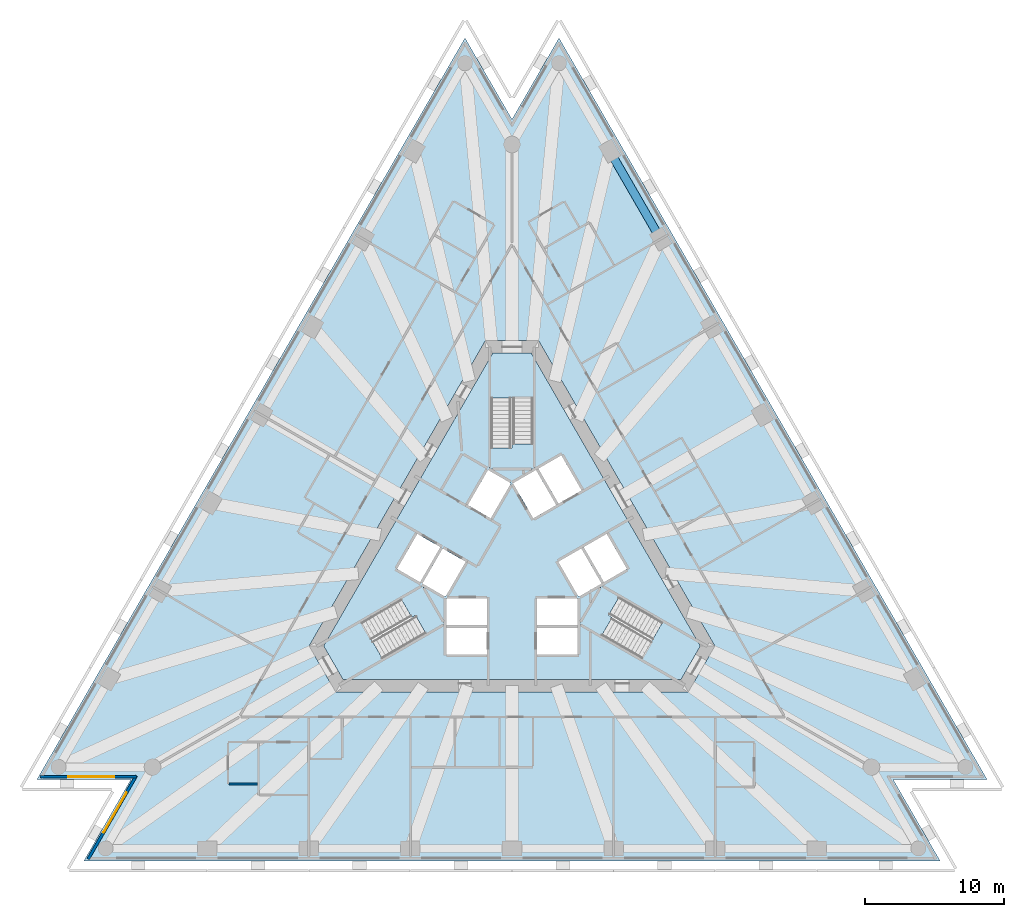
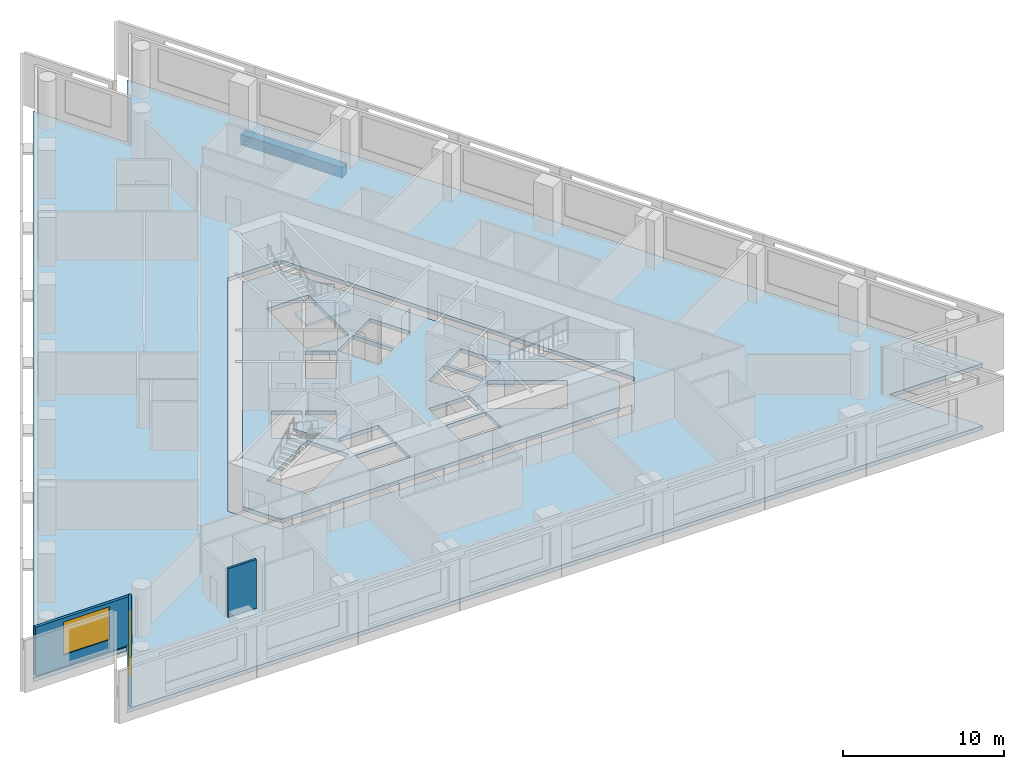
# One storey, part 2 of 11: 5 slabs, 3 walls, 2 windows, 1 beam, 2 openings, 3 elements without a shape of their own.
"""IFC4 building model written with IfcOpenShell, lengths in metres."""

from ifc_helpers import new_model, si_unit, direction, frame, frame_2d, origin, origin_2d, place, context, subcontext, project, spatial, polyline, rectangle, outline, extrude, material, layer, layer_set, layer_usage, material_profile, profile_set, type_object, element, fill, aggregate, save


model = new_model("IFC4")

# Units and contexts
model_context = context("Model", 3, precision=1e-05, world=origin(), true_north=direction((0.0, 1.0)))
body_context = subcontext(model_context, "Body", "Model", "MODEL_VIEW")
ifc_project = project(units=[si_unit("LENGTHUNIT", "METRE"), si_unit("AREAUNIT", "SQUARE_METRE"), si_unit("VOLUMEUNIT", "CUBIC_METRE"), si_unit("PLANEANGLEUNIT", "RADIAN"), si_unit("MASSUNIT", "GRAM", prefix="KILO")], contexts=[model_context])

# Site, building, storey
site_placement = place(None, origin())
site = spatial("IfcSite", under=ifc_project, at=site_placement, CompositionType="ELEMENT")
building_placement = place(site_placement, origin())
building = spatial("IfcBuilding", under=site, at=building_placement, Name="Triada Interchange Tower", CompositionType="ELEMENT")
storey_placement = place(building_placement, frame((0.0, 0.0, 75.300048828125)))
storey = spatial("IfcBuildingStorey", under=building, at=storey_placement, Name="L16", CompositionType="ELEMENT", Elevation=75.300048828125)

# Beam
ifc_material_1 = material(Name="Concrete C50/60", Category="concrete")
ifc_material_profile = material_profile(ifc_material_1, rectangle(XDim=0.60009765625, YDim=0.800048828125, at=origin_2d()), Name="RC 600x800")
ifc_profile_set = profile_set([ifc_material_profile], Name="Concrete C50/60")
beam_type = type_object("IfcBeamType", Name="Spandrel beam A RC 600x800", PredefinedType="BEAM", material=ifc_profile_set)
beam_placement = place(storey_placement, frame((10.657958984375, 22.98388671875, -0.699951171875), z_axis=(-0.499937067856, 0.866061734626, 0.0), x_axis=(-0.866061734626, -0.499937067856, 0.0)))
element("IfcBeam", 1, at=beam_placement, inside=storey, type_object=beam_type, Name="Spandrel beam EA27 L16", PredefinedType="BEAM", context=body_context, shape_type="SweptSolid", body=[
    extrude(rectangle(XDim=0.60009765625, YDim=0.800048828125, at=origin_2d()), origin(), (0.0, 0.0, 1.0), 7.287109375),
])

# Slabs
ifc_layer_1 = layer(ifc_material_1, 0.300048828125)
ifc_layer_set_1 = layer_set([ifc_layer_1], Name="Floor slab 300")
slab_type_1 = type_object("IfcSlabType", Name="Floor slab 300", PredefinedType="FLOOR", material=ifc_layer_set_1)
slab_1_placement = place(storey_placement, frame((0.0, 0.0, -0.300048828125)))
element("IfcSlab", 2, at=slab_1_placement, inside=storey, type_object=slab_type_1, Name="Floor slab L16", PredefinedType="FLOOR", context=body_context, shape_type="SweptSolid", body=[
    extrude(outline(polyline([(-3.37109375, 37.406005859375), (-34.080078125, -15.783935546875), (-27.339111328125, -15.783935546875), (-30.708984375, -21.6220703125), (30.708984375, -21.6220703125), (27.339111328125, -15.783935546875), (34.080078125, -15.783935546875), (3.37109375, 37.406005859375), (0.0, 31.568115234375), (-3.37109375, 37.406005859375)]), holes=[polyline([(1.905029296875, 15.699951171875), (-1.905029296875, 15.699951171875), (-14.549072265625, -6.199951171875), (-12.64404296875, -9.5), (12.64404296875, -9.5), (14.549072265625, -6.199951171875), (1.905029296875, 15.699951171875)])]), origin(), (0.0, 0.0, 1.0), 0.300048828125),
])
slab_2_placement = place(storey_placement, frame((0.0, 0.0, -0.300048828125)))
element("IfcSlab", 3, at=slab_2_placement, inside=storey, type_object=slab_type_1, Name="Core floor slab L16 1", PredefinedType="FLOOR", context=body_context, shape_type="SweptSolid", body=[
    extrude(outline(polyline([(13.510009765625, -6.199951171875), (12.1240234375, -8.60009765625), (-12.1240234375, -8.60009765625), (-13.510009765625, -6.199951171875), (-1.385986328125, 14.800048828125), (1.385986328125, 14.800048828125), (13.510009765625, -6.199951171875)]), holes=[polyline([(9.2958984375, -7.09912109375), (10.7958984375, -4.5009765625), (6.466064453125, -2.0009765625), (4.966064453125, -4.59912109375), (9.2958984375, -7.09912109375)]), polyline([(6.7890625, 1.841064453125), (5.14404296875, 0.89111328125), (6.593994140625, -1.6201171875), (8.239013671875, -0.669921875), (6.7890625, 1.841064453125)]), polyline([(4.969970703125, 0.791015625), (3.324951171875, -0.158935546875), (4.77490234375, -2.669921875), (6.419921875, -1.719970703125), (4.969970703125, 0.791015625)]), polyline([(1.89404296875, 6.52001953125), (3.343994140625, 4.009033203125), (4.989013671875, 4.958984375), (3.5390625, 7.469970703125), (1.89404296875, 6.52001953125)]), polyline([(1.800048828125, -4.89990234375), (1.800048828125, -6.800048828125), (4.699951171875, -6.800048828125), (4.699951171875, -4.89990234375), (1.800048828125, -4.89990234375)]), polyline([(1.800048828125, -2.800048828125), (1.800048828125, -4.031005859375), (1.800048828125, -4.699951171875), (4.699951171875, -4.699951171875), (4.699951171875, -2.800048828125), (1.800048828125, -2.800048828125)]), polyline([(1.52490234375, 2.958984375), (1.68408203125, 3.051025390625), (3.169921875, 3.908935546875), (1.719970703125, 6.419921875), (0.074951171875, 5.469970703125), (1.52490234375, 2.958984375)]), polyline([(1.5, 11.60009765625), (-1.5, 11.60009765625), (-1.5, 6.60009765625), (1.5, 6.60009765625), (1.5, 11.60009765625)]), polyline([(-0.074951171875, 5.469970703125), (-1.719970703125, 6.419921875), (-3.169921875, 3.908935546875), (-1.6298828125, 3.01904296875), (-1.52490234375, 2.958984375), (-0.074951171875, 5.469970703125)]), polyline([(-4.699951171875, -2.800048828125), (-4.699951171875, -4.699951171875), (-1.800048828125, -4.699951171875), (-1.800048828125, -4.031005859375), (-1.800048828125, -2.800048828125), (-4.699951171875, -2.800048828125)]), polyline([(-4.699951171875, -4.89990234375), (-4.699951171875, -6.800048828125), (-1.800048828125, -6.800048828125), (-1.800048828125, -4.89990234375), (-4.699951171875, -4.89990234375)]), polyline([(-4.77490234375, -2.669921875), (-3.324951171875, -0.158935546875), (-4.969970703125, 0.791015625), (-6.419921875, -1.719970703125), (-4.77490234375, -2.669921875)]), polyline([(-10.7958984375, -4.5009765625), (-9.2958984375, -7.09912109375), (-4.966064453125, -4.59912109375), (-6.466064453125, -2.0009765625), (-10.7958984375, -4.5009765625)]), polyline([(-6.593994140625, -1.6201171875), (-5.14404296875, 0.89111328125), (-6.7890625, 1.841064453125), (-8.239013671875, -0.669921875), (-6.593994140625, -1.6201171875)])]), origin(), (0.0, 0.0, 1.0), 0.300048828125),
])

# Stair, slab
ifc_material_2 = material(Name="Concrete C35/45", Category="concrete")
stair_type = type_object("IfcStairType", Name="HALF TURN STAIR 1400", PredefinedType="HALF_TURN_STAIR", material=ifc_material_2)
stair_1_placement = place(storey_placement, origin())
stair_1 = element("IfcStair", 4, at=stair_1_placement, inside=storey, type_object=stair_type, Name="Exit stair S15-1", PredefinedType="HALF_TURN_STAIR")
ifc_layer_2 = layer(ifc_material_2, 0.199951171875)
ifc_layer_set_2 = layer_set([ifc_layer_2], Name="STAIR LANDING 200")
slab_type_2 = type_object("IfcSlabType", Name="STAIR LANDING 200", PredefinedType="LANDING", material=ifc_layer_set_2)
slab_3_placement = place(storey_placement, frame((0.0, 0.0, 1.719970703125)))
slab_3 = element("IfcSlab", 5, at=slab_3_placement, type_object=slab_type_2, Name="S15-1 landing 1", PredefinedType="LANDING", context=body_context, shape_type="SweptSolid", body=[
    extrude(outline(polyline([(1.60009765625, 6.5), (1.60009765625, 8.300048828125), (0.0, 8.300048828125), (0.0, 8.0), (-1.60009765625, 8.0), (-1.60009765625, 6.5), (1.60009765625, 6.5)])), origin(), (0.0, 0.0, 1.0), 0.199951171875),
])
aggregate(stair_1, [slab_3])

stair_2_placement = place(storey_placement, origin())
stair_2 = element("IfcStair", 6, at=stair_2_placement, inside=storey, type_object=stair_type, Name="Exit stair S15-2", PredefinedType="HALF_TURN_STAIR")
slab_4_placement = place(storey_placement, frame((0.0, 0.0, 1.719970703125)))
slab_4 = element("IfcSlab", 7, at=slab_4_placement, type_object=slab_type_2, Name="S15-2 landing 1", PredefinedType="LANDING", context=body_context, shape_type="SweptSolid", body=[
    extrude(outline(polyline([(-6.428955078125, -1.864013671875), (-7.988037109375, -2.763916015625), (-7.18798828125, -4.14990234375), (-6.927978515625, -4.0), (-6.1279296875, -5.385986328125), (-4.8291015625, -4.635986328125), (-6.428955078125, -1.864013671875)])), origin(), (0.0, 0.0, 1.0), 0.199951171875),
])
aggregate(stair_2, [slab_4])

stair_3_placement = place(storey_placement, origin())
stair_3 = element("IfcStair", 8, at=stair_3_placement, inside=storey, type_object=stair_type, Name="Exit stair S15-3", PredefinedType="HALF_TURN_STAIR")
slab_5_placement = place(storey_placement, frame((0.0, 0.0, 1.719970703125)))
slab_5 = element("IfcSlab", 9, at=slab_5_placement, type_object=slab_type_2, Name="S15-3 landing 1", PredefinedType="LANDING", context=body_context, shape_type="SweptSolid", body=[
    extrude(outline(polyline([(4.8291015625, -4.635986328125), (6.387939453125, -5.535888671875), (7.18798828125, -4.14990234375), (6.927978515625, -4.0), (7.72802734375, -2.614013671875), (6.428955078125, -1.864013671875), (4.8291015625, -4.635986328125)])), origin(), (0.0, 0.0, 1.0), 0.199951171875),
])
aggregate(stair_3, [slab_5])

# Wall, opening, window
ifc_material_3 = material(Name="Cement board")
ifc_layer_3 = layer(ifc_material_3, 0.02001953125, Name="Cement board cladding")
ifc_material_4 = material(Name="Sheathing board")
ifc_layer_4 = layer(ifc_material_4, 0.014892578125, Name="Sheathing board")
ifc_material_5 = material(Name="Mineral wool")
ifc_layer_5 = layer(ifc_material_5, 0.14990234375, Name="Mineral wool between steel studs")
ifc_material_6 = material(Name="Gypsum board")
ifc_layer_6 = layer(ifc_material_6, 0.014892578125, Name="Plasterboard lining")
ifc_layer_set_3 = layer_set([ifc_layer_3, ifc_layer_4, ifc_layer_5, ifc_layer_6], Name="External wall 200")
ifc_layer_usage = layer_usage(ifc_layer_set_3, "AXIS2", "POSITIVE", -0.10009765625)
wall_type_1 = type_object("IfcWallType", Name="External wall 200", PredefinedType="ELEMENTEDWALL", material=ifc_layer_set_3)
wall_1_placement = place(storey_placement, frame((-33.823974609375, -15.583984375, 0.0), z_axis=(0.0, 0.0, 1.0), x_axis=(1.0, 0.0, 0.0)))
wall_1 = element("IfcWall", 10, at=wall_1_placement, inside=storey, type_object=wall_type_1, material=ifc_layer_usage, Name="External wall L16 SW-1", PredefinedType="ELEMENTEDWALL", context=body_context, shape_type="SweptSolid", body=[
    extrude(rectangle(XDim=6.90087890625, YDim=0.199951171875, at=frame_2d((3.450439453125, 0.0))), origin(), (0.0, 0.0, 1.0), 3.699951171875),
])
opening_1_placement = place(wall_1_placement, frame((1.989990234375, 0.0, 0.89990234375)))
opening_1 = element("IfcOpeningElement", 11, at=opening_1_placement, cuts=wall_1, Name="Opening WA09", PredefinedType="OPENING", context=body_context, shape_type="SweptSolid", body=[
    extrude(rectangle(XDim=3.300048828125, YDim=2.5, at=frame_2d((1.64990234375, 1.25))), frame((0.0, 0.10986328125, 0.0), z_axis=(0.0, -1.0, 0.0), x_axis=(1.0, 0.0, 0.0)), (0.0, 0.0, 1.0), 0.219970703125),
])
ifc_material_7 = material(Name="Double glazed aluminium window", Category="aluminium")
window_type = type_object("IfcWindowType", Name="Ribbon window A pocket", PartitioningType="SINGLE_PANEL", PredefinedType="WINDOW", material=ifc_material_7)
window_1_placement = place(opening_1_placement, origin())
window_1 = element("IfcWindow", 12, at=window_1_placement, inside=storey, type_object=window_type, Name="Window L16 SW-1 1", OverallHeight=2.5, OverallWidth=3.300048828125, PartitioningType="SINGLE_PANEL", PredefinedType="WINDOW", context=body_context, shape_type="SweptSolid", body=[
    extrude(rectangle(XDim=3.300048828125, YDim=2.5, at=frame_2d((1.64990234375, 1.25))), frame((0.0, 0.030029296875, 0.0), z_axis=(0.0, -1.0, 0.0), x_axis=(1.0, 0.0, 0.0)), (0.0, 0.0, 1.0), 0.06005859375),
])
fill(opening_1, window_1)

wall_2_placement = place(storey_placement, frame((-26.947998046875, -15.506103515625, 0.0), z_axis=(0.0, 0.0, 1.0), x_axis=(-0.499917428568, -0.866073071175, 0.0)))
wall_2 = element("IfcWall", 13, at=wall_2_placement, inside=storey, type_object=wall_type_1, material=ifc_layer_usage, Name="External wall L16 SW-2", PredefinedType="ELEMENTEDWALL", context=body_context, shape_type="SweptSolid", body=[
    extrude(rectangle(XDim=6.901123046875, YDim=0.199951171875, at=frame_2d((3.45068359375, 0.0))), origin(), (0.0, 0.0, 1.0), 3.699951171875),
])
opening_2_placement = place(wall_2_placement, frame((1.389892578125, 0.0, 0.89990234375)))
opening_2 = element("IfcOpeningElement", 14, at=opening_2_placement, cuts=wall_2, Name="Opening WA10", PredefinedType="OPENING", context=body_context, shape_type="SweptSolid", body=[
    extrude(rectangle(XDim=3.300048828125, YDim=2.5, at=frame_2d((1.64990234375, 1.25))), frame((0.0, 0.10986328125, 0.0), z_axis=(0.0, -1.0, 0.0), x_axis=(1.0, 0.0, 0.0)), (0.0, 0.0, 1.0), 0.219970703125),
])
window_2_placement = place(opening_2_placement, origin())
window_2 = element("IfcWindow", 15, at=window_2_placement, inside=storey, type_object=window_type, Name="Window L16 SW-2 1", OverallHeight=2.5, OverallWidth=3.300048828125, PartitioningType="SINGLE_PANEL", PredefinedType="WINDOW", context=body_context, shape_type="SweptSolid", body=[
    extrude(rectangle(XDim=3.300048828125, YDim=2.5, at=frame_2d((1.64990234375, 1.25))), frame((0.0, 0.030029296875, 0.0), z_axis=(0.0, -1.0, 0.0), x_axis=(1.0, 0.0, 0.0)), (0.0, 0.0, 1.0), 0.06005859375),
])
fill(opening_2, window_2)

# Wall
ifc_material_8 = material(Name="Gypsum board partition")
ifc_layer_7 = layer(ifc_material_8, 0.14990234375)
ifc_layer_set_4 = layer_set([ifc_layer_7], Name="PARTITION 150 EI 90")
wall_type_2 = type_object("IfcWallType", Name="PARTITION 150 EI 90", PredefinedType="PARTITIONING", material=ifc_layer_set_4)
wall_3_placement = place(storey_placement, frame((-20.300048828125, -16.10009765625, 0.0), z_axis=(0.0, 0.0, 1.0), x_axis=(1.0, 0.0, 0.0)))
element("IfcWall", 16, at=wall_3_placement, inside=storey, type_object=wall_type_2, Name="Wall L15 38", PredefinedType="PARTITIONING", context=body_context, shape_type="SweptSolid", body=[
    extrude(rectangle(XDim=2.050048828125, YDim=0.14990234375, at=frame_2d((1.02490234375, 0.0))), origin(), (0.0, 0.0, 1.0), 3.699951171875),
])

save(model, "model.ifc")
